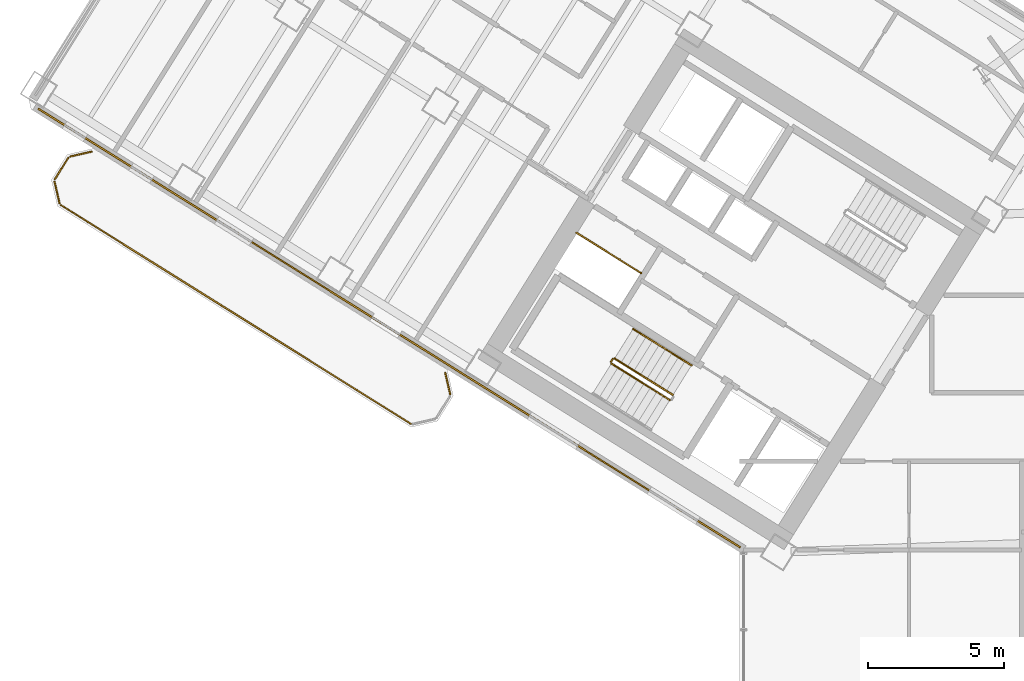
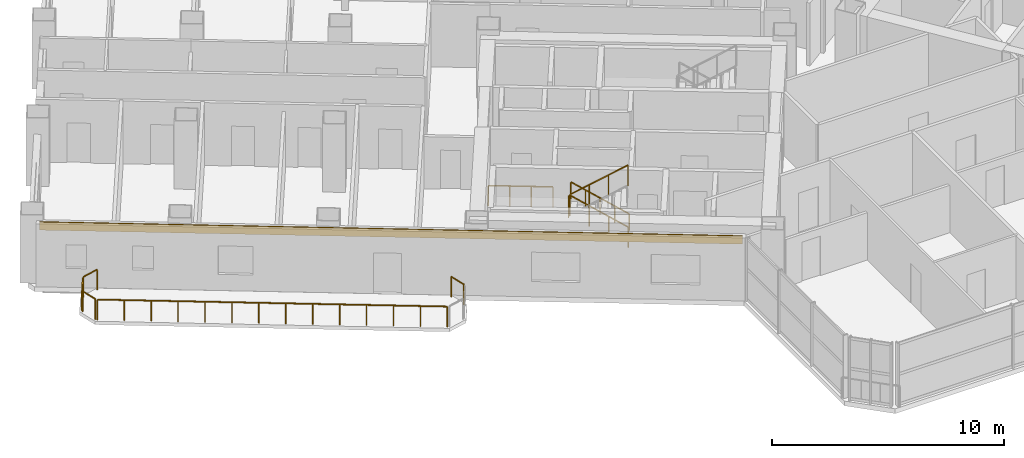
# One storey, part 18 of 21: 11 railings, 1 covering.
"""IFC4 building model written with IfcOpenShell, lengths in metres."""

from ifc_helpers import new_model, si_unit, direction, frame, origin, origin_2d, place, context, subcontext, project, spatial, rectangle, extrude, source, transform, mapped, material, layer, layer_set, type_object, element, save


model = new_model("IFC4")

# Units and contexts
model_context = context("Model", 3, precision=1e-05, world=origin(), true_north=direction((0.0, 1.0)))
body_context = subcontext(model_context, "Body", "Model", "MODEL_VIEW")
ifc_project = project(units=[si_unit("LENGTHUNIT", "METRE"), si_unit("AREAUNIT", "SQUARE_METRE"), si_unit("VOLUMEUNIT", "CUBIC_METRE"), si_unit("PLANEANGLEUNIT", "RADIAN"), si_unit("MASSUNIT", "GRAM", prefix="KILO")], contexts=[model_context])

# Site, building, storey
site_placement = place(None, origin())
site = spatial("IfcSite", under=ifc_project, at=site_placement, CompositionType="ELEMENT")
building_placement = place(site_placement, origin())
building = spatial("IfcBuilding", under=site, at=building_placement, Name="Tlacorven Tower", CompositionType="ELEMENT")
storey_placement = place(building_placement, frame((0.0, 0.0, 81.0)))
storey = spatial("IfcBuildingStorey", under=building, at=storey_placement, Name="L20", CompositionType="ELEMENT", Elevation=81.0)

# Railings
ifc_material_1 = material(Name="Aluminium and painted steel balustrade", Category="steel")
railing_type_1 = type_object("IfcRailingType", Name="RL-GRD-1100", PredefinedType="GUARDRAIL", material=ifc_material_1)
shared_shape_1 = source(origin(), body_context, "Body", "SweptSolid", [
    extrude(rectangle(XDim=0.048095703125, YDim=0.048095703125, at=origin_2d()), frame((0.0, 0.0, 1.076171875), z_axis=(-0.848091358275, 0.529850024081, 0.0), x_axis=(-0.529850024081, -0.848091358275, 0.0)), (0.0, 0.0, 1.0), 2.800048828125),
    extrude(rectangle(XDim=0.0419921875, YDim=0.0419921875, at=origin_2d()), origin(), (0.0, 0.0, 1.0), 1.052001953125),
    extrude(rectangle(XDim=0.0419921875, YDim=0.0419921875, at=origin_2d()), frame((-0.79150390625, 0.49462890625, 0.0)), (0.0, 0.0, 1.0), 1.052001953125),
    extrude(rectangle(XDim=0.0419921875, YDim=0.0419921875, at=origin_2d()), frame((-1.583251953125, 0.989013671875, 0.0)), (0.0, 0.0, 1.0), 1.052001953125),
    extrude(rectangle(XDim=0.0419921875, YDim=0.0419921875, at=origin_2d()), frame((-2.374755859375, 1.483642578125, 0.0)), (0.0, 0.0, 1.0), 1.052001953125),
])
railing_1_placement = place(storey_placement, frame((27.9912109375, 22.32080078125, 0.0)))
element("IfcRailing", 1, at=railing_1_placement, inside=storey, type_object=railing_type_1, Name="L20 Electrical Riser W Shaft Guard 1", PredefinedType="GUARDRAIL", context=body_context, shape_type="MappedRepresentation", body=[
    mapped(shared_shape_1, transform((0.0, 0.0, 0.0), scale=1.0)),
])
railing_type_2 = type_object("IfcRailingType", Name="RL-BAL-1100", PredefinedType="BALUSTRADE", material=ifc_material_1)
shared_shape_2 = source(origin(), body_context, "Body", "SweptSolid", [
    extrude(rectangle(XDim=0.048095703125, YDim=0.048095703125, at=origin_2d()), frame((0.0, 0.0, 1.076171875), z_axis=(0.225058334816, -0.974345290916, 0.0), x_axis=(0.974345290916, 0.225058334816, 0.0)), (0.0, 0.0, 1.0), 0.80712890625),
    extrude(rectangle(XDim=0.0419921875, YDim=0.0419921875, at=origin_2d()), origin(), (0.0, 0.0, 1.0), 1.052001953125),
    extrude(rectangle(XDim=0.0419921875, YDim=0.0419921875, at=origin_2d()), frame((0.181640625, -0.786376953125, 0.0)), (0.0, 0.0, 1.0), 1.052001953125),
])
railing_2_placement = place(storey_placement, frame((20.809814453125, 18.671142578125, 0.0)))
element("IfcRailing", 2, at=railing_2_placement, inside=storey, type_object=railing_type_2, Name="BAL-L20-W-OUT Guard Railing 1", PredefinedType="BALUSTRADE", context=body_context, shape_type="MappedRepresentation", body=[
    mapped(shared_shape_2, transform((0.0, 0.0, 0.0), scale=1.0)),
])
shared_shape_3 = source(origin(), body_context, "Body", "SweptSolid", [
    extrude(rectangle(XDim=0.048095703125, YDim=0.048095703125, at=origin_2d()), frame((0.0, 0.0, 1.076171875), z_axis=(-0.225058334816, 0.974345290916, 0.0), x_axis=(-0.974345290916, -0.225058334816, 0.0)), (0.0, 0.0, 1.0), 0.80712890625),
    extrude(rectangle(XDim=0.0419921875, YDim=0.0419921875, at=origin_2d()), origin(), (0.0, 0.0, 1.0), 1.052001953125),
    extrude(rectangle(XDim=0.0419921875, YDim=0.0419921875, at=origin_2d()), frame((-0.181640625, 0.786376953125, 0.0)), (0.0, 0.0, 1.0), 1.052001953125),
])
railing_3_placement = place(storey_placement, frame((6.66650390625, 24.88623046875, 0.0)))
element("IfcRailing", 3, at=railing_3_placement, inside=storey, type_object=railing_type_2, Name="BAL-L20-W-OUT Guard Railing 5", PredefinedType="BALUSTRADE", context=body_context, shape_type="MappedRepresentation", body=[
    mapped(shared_shape_3, transform((0.0, 0.0, 0.0), scale=1.0)),
])
shared_shape_4 = source(origin(), body_context, "Body", "SweptSolid", [
    extrude(rectangle(XDim=0.048095703125, YDim=0.048095703125, at=origin_2d()), frame((0.0, 0.0, 1.076171875), z_axis=(0.974411586182, 0.224771129628, 0.0), x_axis=(-0.224771129628, 0.974411586182, 0.0)), (0.0, 0.0, 1.0), 0.80712890625),
    extrude(rectangle(XDim=0.0419921875, YDim=0.0419921875, at=origin_2d()), origin(), (0.0, 0.0, 1.0), 1.052001953125),
    extrude(rectangle(XDim=0.0419921875, YDim=0.0419921875, at=origin_2d()), frame((0.786376953125, 0.181396484375, 0.0)), (0.0, 0.0, 1.0), 1.052001953125),
])
railing_4_placement = place(storey_placement, frame((7.05859375, 26.591064453125, 0.0)))
element("IfcRailing", 4, at=railing_4_placement, inside=storey, type_object=railing_type_2, Name="BAL-L20-W-OUT Guard Railing 7", PredefinedType="BALUSTRADE", context=body_context, shape_type="MappedRepresentation", body=[
    mapped(shared_shape_4, transform((0.0, 0.0, 0.0), scale=1.0)),
])
shared_shape_5 = source(origin(), body_context, "Body", "SweptSolid", [
    extrude(rectangle(XDim=0.048095703125, YDim=0.048095703125, at=origin_2d()), frame((0.0, 0.0, 1.076171875), z_axis=(0.529998940003, 0.847998304005, 0.0), x_axis=(-0.847998304005, 0.529998940003, 0.0)), (0.0, 0.0, 1.0), 0.912109375),
    extrude(rectangle(XDim=0.0419921875, YDim=0.0419921875, at=origin_2d()), origin(), (0.0, 0.0, 1.0), 1.052001953125),
    extrude(rectangle(XDim=0.0419921875, YDim=0.0419921875, at=origin_2d()), frame((0.4833984375, 0.7734375, 0.0)), (0.0, 0.0, 1.0), 1.052001953125),
])
railing_5_placement = place(storey_placement, frame((6.5, 25.763916015625, 0.0)))
element("IfcRailing", 5, at=railing_5_placement, inside=storey, type_object=railing_type_2, Name="BAL-L20-W-OUT Guard Railing 6", PredefinedType="BALUSTRADE", context=body_context, shape_type="MappedRepresentation", body=[
    mapped(shared_shape_5, transform((0.0, 0.0, 0.0), scale=1.0)),
])

# Covering
ifc_material_2 = material(Name="Precast concrete C45/55", Category="concrete")
ifc_layer = layer(ifc_material_2, 0.06005859375)
ifc_layer_set = layer_set([ifc_layer], Name="Precast concrete C45/55")
covering_type = type_object("IfcCoveringType", Name="CV-CLD-TERC", PredefinedType="CLADDING", material=ifc_layer_set)
shared_shape_6 = source(origin(), body_context, "Body", "SweptSolid", [
    extrude(rectangle(XDim=30.35205078125, YDim=0.06005859375, at=origin_2d()), origin(), (0.0, 0.0, 1.0), 0.419921875),
])
covering_placement = place(storey_placement, frame((18.7626953125, 20.3046875, 2.900146484375), z_axis=(0.0, 0.0, 1.0), x_axis=(-0.848048152806, 0.529919173576, 0.0)))
element("IfcCovering", 6, at=covering_placement, inside=storey, type_object=covering_type, Name="L20 Masonry-Frame Spandrel Cladding 1", PredefinedType="CLADDING", context=body_context, shape_type="MappedRepresentation", body=[
    mapped(shared_shape_6, transform((0.0, 0.0, 0.0), scale=1.0)),
])

# Railings
shared_shape_7 = source(origin(), body_context, "Body", "SweptSolid", [
    extrude(rectangle(XDim=0.048095703125, YDim=0.048095703125, at=origin_2d()), frame((0.0, 0.0, 1.076171875), z_axis=(-0.848051830527, 0.529913287944, 0.0), x_axis=(-0.529913287944, -0.848051830527, 0.0)), (0.0, 0.0, 1.0), 15.1171875),
    extrude(rectangle(XDim=0.0419921875, YDim=0.0419921875, at=origin_2d()), origin(), (0.0, 0.0, 1.0), 1.052001953125),
    extrude(rectangle(XDim=0.0419921875, YDim=0.0419921875, at=origin_2d()), frame((-0.986083984375, 0.6162109375, 0.0)), (0.0, 0.0, 1.0), 1.052001953125),
    extrude(rectangle(XDim=0.0419921875, YDim=0.0419921875, at=origin_2d()), frame((-1.972412109375, 1.232421875, 0.0)), (0.0, 0.0, 1.0), 1.052001953125),
    extrude(rectangle(XDim=0.0419921875, YDim=0.0419921875, at=origin_2d()), frame((-2.95849609375, 1.8486328125, 0.0)), (0.0, 0.0, 1.0), 1.052001953125),
    extrude(rectangle(XDim=0.0419921875, YDim=0.0419921875, at=origin_2d()), frame((-3.944580078125, 2.46484375, 0.0)), (0.0, 0.0, 1.0), 1.052001953125),
    extrude(rectangle(XDim=0.0419921875, YDim=0.0419921875, at=origin_2d()), frame((-4.930908203125, 3.0810546875, 0.0)), (0.0, 0.0, 1.0), 1.052001953125),
    extrude(rectangle(XDim=0.0419921875, YDim=0.0419921875, at=origin_2d()), frame((-5.9169921875, 3.697265625, 0.0)), (0.0, 0.0, 1.0), 1.052001953125),
    extrude(rectangle(XDim=0.0419921875, YDim=0.0419921875, at=origin_2d()), frame((-6.903076171875, 4.3134765625, 0.0)), (0.0, 0.0, 1.0), 1.052001953125),
    extrude(rectangle(XDim=0.0419921875, YDim=0.0419921875, at=origin_2d()), frame((-7.88916015625, 4.9296875, 0.0)), (0.0, 0.0, 1.0), 1.052001953125),
    extrude(rectangle(XDim=0.0419921875, YDim=0.0419921875, at=origin_2d()), frame((-8.87548828125, 5.5458984375, 0.0)), (0.0, 0.0, 1.0), 1.052001953125),
    extrude(rectangle(XDim=0.0419921875, YDim=0.0419921875, at=origin_2d()), frame((-9.861572265625, 6.162109375, 0.0)), (0.0, 0.0, 1.0), 1.052001953125),
    extrude(rectangle(XDim=0.0419921875, YDim=0.0419921875, at=origin_2d()), frame((-10.84765625, 6.7783203125, 0.0)), (0.0, 0.0, 1.0), 1.052001953125),
    extrude(rectangle(XDim=0.0419921875, YDim=0.0419921875, at=origin_2d()), frame((-11.833984375, 7.39453125, 0.0)), (0.0, 0.0, 1.0), 1.052001953125),
    extrude(rectangle(XDim=0.0419921875, YDim=0.0419921875, at=origin_2d()), frame((-12.820068359375, 8.0107421875, 0.0)), (0.0, 0.0, 1.0), 1.052001953125),
])
railing_6_placement = place(storey_placement, frame((19.5400390625, 16.80029296875, 0.0)))
element("IfcRailing", 7, at=railing_6_placement, inside=storey, type_object=railing_type_2, Name="BAL-L20-W-OUT Guard Railing 4", PredefinedType="BALUSTRADE", context=body_context, shape_type="MappedRepresentation", body=[
    mapped(shared_shape_7, transform((0.0, 0.0, 0.0), scale=1.0)),
])
shared_shape_8 = source(origin(), body_context, "Body", "SweptSolid", [
    extrude(rectangle(XDim=0.048095703125, YDim=0.048095703125, at=origin_2d()), frame((0.0, 0.0, 1.076171875), z_axis=(-0.713319727316, 0.445773895627, 0.540796265334), x_axis=(-0.529955395941, -0.84802551749, 0.0)), (0.0, 0.0, 1.0), 2.995849609375),
    extrude(rectangle(XDim=0.0419921875, YDim=0.0419921875, at=origin_2d()), origin(), (0.0, 0.0, 1.0), 1.052001953125),
    extrude(rectangle(XDim=0.0419921875, YDim=0.0419921875, at=origin_2d()), frame((-0.71240234375, 0.445068359375, 0.5400390625)), (0.0, 0.0, 1.0), 1.052001953125),
    extrude(rectangle(XDim=0.0419921875, YDim=0.0419921875, at=origin_2d()), frame((-1.424560546875, 0.890380859375, 1.080078125)), (0.0, 0.0, 1.0), 1.052001953125),
    extrude(rectangle(XDim=0.0419921875, YDim=0.0419921875, at=origin_2d()), frame((-2.136962890625, 1.33544921875, 1.6201171875)), (0.0, 0.0, 1.0), 1.052001953125),
])
railing_7_placement = place(storey_placement, frame((29.16064453125, 17.851806640625, 0.179931640625)))
element("IfcRailing", 8, at=railing_7_placement, inside=storey, type_object=railing_type_1, Name="L20 ST-W1 stair guard 1", PredefinedType="GUARDRAIL", context=body_context, shape_type="MappedRepresentation", body=[
    mapped(shared_shape_8, transform((0.0, 0.0, 0.0), scale=1.0)),
])
shared_shape_9 = source(origin(), body_context, "Body", "SweptSolid", [
    extrude(rectangle(XDim=0.048095703125, YDim=0.048095703125, at=origin_2d()), frame((0.0, 0.0, 1.076171875), z_axis=(-0.530546985787, -0.847655529016, 0.0), x_axis=(0.847655529016, -0.530546985787, 0.0)), (0.0, 0.0, 1.0), 0.1201171875),
    extrude(rectangle(XDim=0.0419921875, YDim=0.0419921875, at=origin_2d()), origin(), (0.0, 0.0, 1.0), 1.052001953125),
    extrude(rectangle(XDim=0.0419921875, YDim=0.0419921875, at=origin_2d()), frame((-0.063720703125, -0.101806640625, 0.0)), (0.0, 0.0, 1.0), 1.052001953125),
])
railing_8_placement = place(storey_placement, frame((26.954833984375, 19.17138671875, 1.800048828125)))
element("IfcRailing", 9, at=railing_8_placement, inside=storey, type_object=railing_type_1, Name="L20 ST-W1 stair guard 2", PredefinedType="GUARDRAIL", context=body_context, shape_type="MappedRepresentation", body=[
    mapped(shared_shape_9, transform((0.0, 0.0, 0.0), scale=1.0)),
])
shared_shape_10 = source(origin(), body_context, "Body", "SweptSolid", [
    extrude(rectangle(XDim=0.048095703125, YDim=0.048095703125, at=origin_2d()), frame((0.0, 0.0, 1.076171875), z_axis=(0.713359751793, -0.4457479829, 0.540764828981), x_axis=(0.529911857636, 0.848052724267, 0.0)), (0.0, 0.0, 1.0), 2.99609375),
    extrude(rectangle(XDim=0.0419921875, YDim=0.0419921875, at=origin_2d()), origin(), (0.0, 0.0, 1.0), 1.052001953125),
    extrude(rectangle(XDim=0.0419921875, YDim=0.0419921875, at=origin_2d()), frame((0.71240234375, -0.445068359375, 0.5400390625)), (0.0, 0.0, 1.0), 1.052001953125),
    extrude(rectangle(XDim=0.0419921875, YDim=0.0419921875, at=origin_2d()), frame((1.4248046875, -0.890380859375, 1.080078125)), (0.0, 0.0, 1.0), 1.052001953125),
    extrude(rectangle(XDim=0.0419921875, YDim=0.0419921875, at=origin_2d()), frame((2.13720703125, -1.33544921875, 1.6201171875)), (0.0, 0.0, 1.0), 1.052001953125),
])
railing_9_placement = place(storey_placement, frame((26.906982421875, 19.000732421875, 1.97998046875)))
element("IfcRailing", 10, at=railing_9_placement, inside=storey, type_object=railing_type_1, Name="L20 ST-W1 stair guard 3", PredefinedType="GUARDRAIL", context=body_context, shape_type="MappedRepresentation", body=[
    mapped(shared_shape_10, transform((0.0, 0.0, 0.0), scale=1.0)),
])
railing_type_3 = type_object("IfcRailingType", Name="RL-HND-0900", PredefinedType="HANDRAIL", material=ifc_material_1)
shared_shape_11 = source(origin(), body_context, "Body", "SweptSolid", [
    extrude(rectangle(XDim=0.048095703125, YDim=0.048095703125, at=origin_2d()), frame((0.0, 0.0, 0.8759765625), z_axis=(-0.713359751793, 0.4457479829, 0.540764828981), x_axis=(-0.529911857636, -0.848052724267, 0.0)), (0.0, 0.0, 1.0), 1.498046875),
    extrude(rectangle(XDim=0.0419921875, YDim=0.0419921875, at=origin_2d()), origin(), (0.0, 0.0, 1.0), 0.851806640625),
    extrude(rectangle(XDim=0.0419921875, YDim=0.0419921875, at=origin_2d()), frame((-0.5341796875, 0.333984375, 0.405029296875)), (0.0, 0.0, 1.0), 0.851806640625),
    extrude(rectangle(XDim=0.0419921875, YDim=0.0419921875, at=origin_2d()), frame((-1.068603515625, 0.667724609375, 0.81005859375)), (0.0, 0.0, 1.0), 0.851806640625),
])
for number, where, name in (
    (11, (29.839111328125, 18.937255859375, 0.179931640625), "L20 ST-W1 stair handrail 1"),
    (12, (28.7705078125, 19.60498046875, 0.989990234375), "L20 ST-W1 stair handrail 2"),
):
    element("IfcRailing", number, at=place(storey_placement, frame(where)), inside=storey, type_object=railing_type_3, Name=name, PredefinedType="HANDRAIL", context=body_context, shape_type="MappedRepresentation", body=[
        mapped(shared_shape_11, transform((0.0, 0.0, 0.0), scale=1.0)),
    ])

save(model, "model.ifc")
